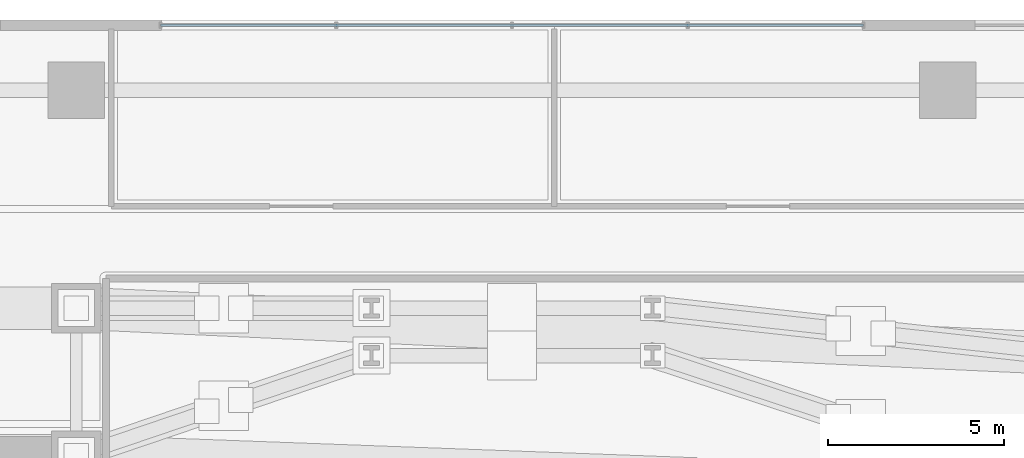
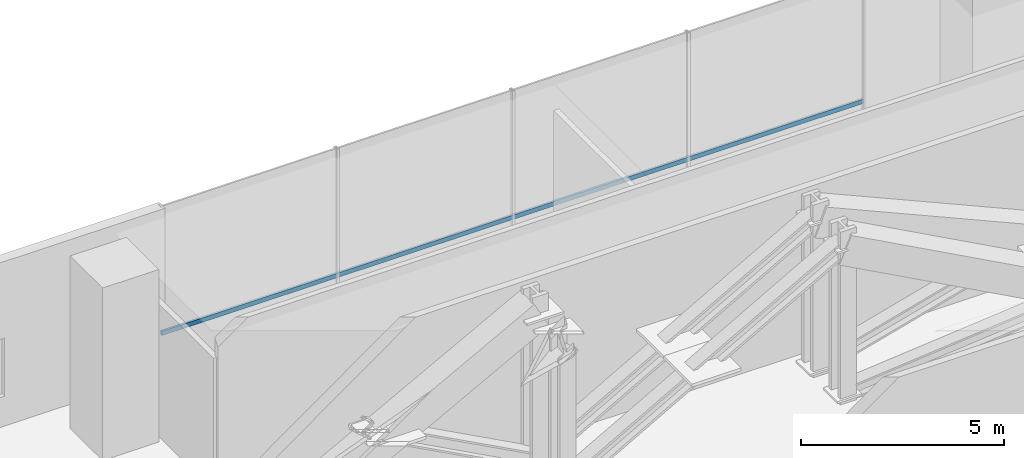
# One storey, part 17 of 41: 1 member, 1 element without a shape of its own.
"""IFC4 building model written with IfcOpenShell, lengths in metres."""

from ifc_helpers import new_model, si_unit, direction, frame, origin, origin_2d, place, context, subcontext, project, spatial, hollow_rectangle, extrude, source, transform, mapped, material, material_profile, profile_set, type_object, element, aggregate, save


model = new_model("IFC4")

# Units and contexts
model_context = context("Model", 3, precision=1e-05, world=origin(), true_north=direction((0.0, 1.0)))
body_context = subcontext(model_context, "Body", "Model", "MODEL_VIEW")
ifc_project = project(units=[si_unit("LENGTHUNIT", "METRE"), si_unit("AREAUNIT", "SQUARE_METRE"), si_unit("VOLUMEUNIT", "CUBIC_METRE"), si_unit("PLANEANGLEUNIT", "RADIAN"), si_unit("MASSUNIT", "GRAM", prefix="KILO")], contexts=[model_context])

# Site, building, storey
site_placement = place(None, origin())
site = spatial("IfcSite", under=ifc_project, at=site_placement, CompositionType="ELEMENT")
building_placement = place(site_placement, origin())
building = spatial("IfcBuilding", under=site, at=building_placement, Name="Valdorenza Pilgrim Sanctuary Tower", CompositionType="ELEMENT")
storey_placement = place(building_placement, frame((0.0, 0.0, 20.800048828125)))
storey = spatial("IfcBuildingStorey", under=building, at=storey_placement, Name="L04", CompositionType="ELEMENT", Elevation=20.800048828125)

# Curtain wall, member
ifc_material_1 = material(Name="Curtain-wall IGU glazing", Category="glass")
curtain_wall_type = type_object("IfcCurtainWallType", Name="CW-SYS-01", PredefinedType="NOTDEFINED", material=ifc_material_1)
curtain_wall_placement = place(storey_placement, origin())
curtain_wall = element("IfcCurtainWall", 1, at=curtain_wall_placement, inside=storey, type_object=curtain_wall_type, Name="L04 Curtain Wall CW-POD-L04-NN", PredefinedType="NOTDEFINED")
ifc_material_2 = material(Name="Anodised aluminium AW-6060", Category="aluminium")
ifc_material_profile = material_profile(ifc_material_2, hollow_rectangle(XDim=0.06494140625, YDim=0.1298828125, WallThickness=0.00341796875, at=origin_2d()), Name="ALU-T 130x65x3.5")
ifc_profile_set = profile_set([ifc_material_profile], Name="Anodised aluminium AW-6060")
member_type = type_object("IfcMemberType", Name="CW-TRN-01", PredefinedType="USERDEFINED", material=ifc_profile_set)
shared_shape = source(origin(), body_context, "Body", "SweptSolid", [
    extrude(hollow_rectangle(XDim=0.06494140625, YDim=0.1298828125, WallThickness=0.00341796875, at=origin_2d()), origin(), (0.0, 0.0, 1.0), 20.0),
])
member_placement = place(storey_placement, frame((-10.0, 22.85009765625, 1.119873046875), z_axis=(1.0, 0.0, 0.0), x_axis=(0.0, 1.0, 0.0)))
member = element("IfcMember", 2, at=member_placement, type_object=member_type, Name="CW-POD-L04-NN Transom 1", ObjectType="TRANSOM", PredefinedType="USERDEFINED", context=body_context, shape_type="MappedRepresentation", body=[
    mapped(shared_shape, transform((0.0, 0.0, 0.0), x_axis=(1.0, 0.0, 0.0), y_axis=(0.0, 1.0, 0.0), z_axis=(0.0, 0.0, 1.0), scale=1.0)),
])
aggregate(curtain_wall, [member])

save(model, "model.ifc")
